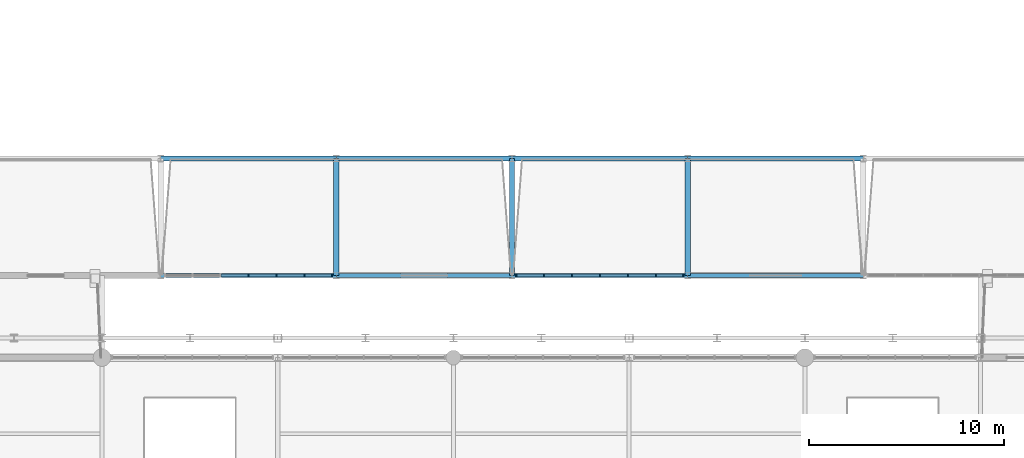
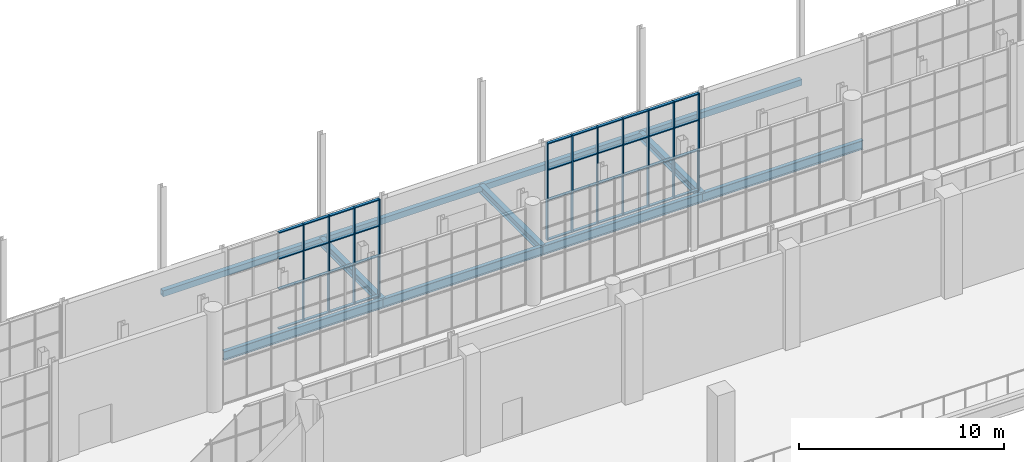
# One storey, part 61 of 159: 51 members, 11 beams, 2 elements without a shape of their own.
"""IFC4 building model written with IfcOpenShell, lengths in metres."""

from ifc_helpers import new_model, si_unit, direction, frame, origin, origin_2d, place, context, subcontext, project, spatial, rectangle, hollow_rectangle, i_section, extrude, material, layer, layer_set, material_profile, profile_set, type_object, element, aggregate, save


model = new_model("IFC4")

# Units and contexts
model_context = context("Model", 3, precision=1e-05, world=origin(), true_north=direction((0.0, 1.0)))
body_context = subcontext(model_context, "Body", "Model", "MODEL_VIEW")
ifc_project = project(units=[si_unit("LENGTHUNIT", "METRE"), si_unit("AREAUNIT", "SQUARE_METRE"), si_unit("VOLUMEUNIT", "CUBIC_METRE"), si_unit("PLANEANGLEUNIT", "RADIAN"), si_unit("MASSUNIT", "GRAM", prefix="KILO")], contexts=[model_context])

# Site, building, storey
site_placement = place(None, origin())
site = spatial("IfcSite", under=ifc_project, at=site_placement, CompositionType="ELEMENT")
building_placement = place(site_placement, origin())
building = spatial("IfcBuilding", under=site, at=building_placement, Name="Cazmaro Siding Exhibition Halls", CompositionType="ELEMENT")
storey_placement = place(building_placement, frame((0.0, 0.0, 6.0)))
storey = spatial("IfcBuildingStorey", under=building, at=storey_placement, Name="L01", CompositionType="ELEMENT", Elevation=6.0)

# Beams
ifc_material_1 = material(Name="Steel ASTM A992 Grade 50", Category="steel")
ifc_material_profile_1 = material_profile(ifc_material_1, i_section(OverallWidth=0.2099609375, OverallDepth=0.535888671875, WebThickness=0.010986328125, FlangeThickness=0.01708984375, at=origin_2d()), Name="W21X68")
ifc_profile_set_1 = profile_set([ifc_material_profile_1], Name="Steel ASTM A992 Grade 50")
beam_type_1 = type_object("IfcBeamType", Name="B-02", PredefinedType="BEAM", material=ifc_profile_set_1)
for number, where, z_axis, x_axis, name in (
    (1, (93.0, 67.199951171875, -0.488037109375), (1.0, 0.0, 0.0), (0.0, 1.0, 0.0), "Beam B-02 BM-0322"),
    (2, (102.0, 67.199951171875, -0.488037109375), (1.0, 0.0, 0.0), (0.0, 1.0, 0.0), "Beam B-02 BM-0324"),
    (3, (111.0, 67.199951171875, -0.488037109375), (1.0, 0.0, 0.0), (0.0, 1.0, 0.0), "Beam B-02 BM-0326"),
    (4, (120.0, 67.199951171875, -0.488037109375), (1.0, 0.0, 0.0), (0.0, 1.0, 0.0), "Beam B-02 BM-0328"),
):
    element("IfcBeam", number, at=place(storey_placement, frame(where, z_axis=z_axis, x_axis=x_axis)), inside=storey, type_object=beam_type_1, Name=name, PredefinedType="BEAM", context=body_context, shape_type="SweptSolid", body=[
        extrude(i_section(OverallWidth=0.2099609375, OverallDepth=0.535888671875, WebThickness=0.010986328125, FlangeThickness=0.01708984375, at=origin_2d()), origin(), (0.0, 0.0, 1.0), 9.0),
    ])
ifc_material_2 = material(Name="Steel ASTM A992 Grade 50", Category="steel")
ifc_material_profile_2 = material_profile(ifc_material_2, i_section(OverallWidth=0.279052734375, OverallDepth=0.4619140625, WebThickness=0.010986328125, FlangeThickness=0.01708984375, at=origin_2d()), Name="W18X76")
ifc_profile_set_2 = profile_set([ifc_material_profile_2], Name="Steel ASTM A992 Grade 50")
beam_type_2 = type_object("IfcBeamType", Name="B-03", PredefinedType="BEAM", material=ifc_profile_set_2)
for number, where, z_axis, x_axis, name in (
    (5, (102.0, 67.199951171875, -0.450927734375), (0.0, 1.0, 0.0), (-1.0, 0.0, 0.0), "Beam B-03 BM-0341"),
    (6, (111.0, 67.199951171875, -0.450927734375), (0.0, 1.0, 0.0), (-1.0, 0.0, 0.0), "Beam B-03 BM-0342"),
    (7, (120.0, 67.199951171875, -0.450927734375), (0.0, 1.0, 0.0), (-1.0, 0.0, 0.0), "Beam B-03 BM-0343"),
):
    element("IfcBeam", number, at=place(storey_placement, frame(where, z_axis=z_axis, x_axis=x_axis)), inside=storey, type_object=beam_type_2, Name=name, PredefinedType="BEAM", context=body_context, shape_type="SweptSolid", body=[
        extrude(i_section(OverallWidth=0.279052734375, OverallDepth=0.4619140625, WebThickness=0.010986328125, FlangeThickness=0.01708984375, at=origin_2d()), origin(), (0.0, 0.0, 1.0), 6.0),
    ])
ifc_material_3 = material(Name="Steel ASTM A500 Grade C", Category="steel")
ifc_material_profile_3 = material_profile(ifc_material_3, hollow_rectangle(XDim=0.25390625, YDim=0.35595703125, WallThickness=0.014892578125, at=origin_2d()), Name="HSS14X10X5/8")
ifc_profile_set_3 = profile_set([ifc_material_profile_3], Name="Steel ASTM A500 Grade C")
beam_type_3 = type_object("IfcBeamType", Name="B-06", PredefinedType="BEAM", material=ifc_profile_set_3)
for number, where, z_axis, x_axis, name in (
    (8, (93.0, 73.199951171875, -0.39794921875), (1.0, 0.0, 0.0), (0.0, 1.0, 0.0), "Beam B-06 BM-0323"),
    (9, (102.0, 73.199951171875, -0.39794921875), (1.0, 0.0, 0.0), (0.0, 1.0, 0.0), "Beam B-06 BM-0325"),
    (10, (111.0, 73.199951171875, -0.39794921875), (1.0, 0.0, 0.0), (0.0, 1.0, 0.0), "Beam B-06 BM-0327"),
    (11, (120.0, 73.199951171875, -0.39794921875), (1.0, 0.0, 0.0), (0.0, 1.0, 0.0), "Beam B-06 BM-0329"),
):
    element("IfcBeam", number, at=place(storey_placement, frame(where, z_axis=z_axis, x_axis=x_axis)), inside=storey, type_object=beam_type_3, Name=name, PredefinedType="BEAM", context=body_context, shape_type="SweptSolid", body=[
        extrude(hollow_rectangle(XDim=0.25390625, YDim=0.35595703125, WallThickness=0.014892578125, at=origin_2d()), origin(), (0.0, 0.0, 1.0), 9.0),
    ])

# Curtain wall, members
ifc_material_4 = material(Name="Anodized Bronze Aluminum and Solar-Control Low-E Glazing", Category="aluminium")
ifc_layer = layer(ifc_material_4, 0.179931640625)
ifc_layer_set = layer_set([ifc_layer], Name="Anodized Bronze Aluminum and Solar-Control Low-E Glazing")
curtain_wall_type = type_object("IfcCurtainWallType", Name="CWS-01", PredefinedType="USERDEFINED", material=ifc_layer_set)
curtain_wall_1_placement = place(storey_placement, origin())
curtain_wall_1 = element("IfcCurtainWall", 12, at=curtain_wall_1_placement, inside=storey, type_object=curtain_wall_type, Name="Glazed Curtain Wall CWS-01 CW-020", ObjectType="GLAZED CURTAIN WALL", PredefinedType="USERDEFINED")
ifc_material_5 = material(Name="Anodized Bronze Extruded Aluminum", Category="aluminium")
ifc_material_profile_4 = material_profile(ifc_material_5, rectangle(XDim=0.179931640625, YDim=0.06005859375, at=origin_2d()), Name="CWM-01")
ifc_profile_set_4 = profile_set([ifc_material_profile_4], Name="Anodized Bronze Extruded Aluminum")
member_type_1 = type_object("IfcMemberType", Name="CWM-01", PredefinedType="MULLION", material=ifc_profile_set_4)
member_1_placement = place(storey_placement, frame((97.5, 67.199951171875, 0.0), z_axis=(0.0, 0.0, 1.0), x_axis=(0.0, 1.0, 0.0)))
member_1 = element("IfcMember", 13, at=member_1_placement, type_object=member_type_1, Name="CWS-01 mullion 4", PredefinedType="MULLION", context=body_context, shape_type="SweptSolid", body=[
    extrude(rectangle(XDim=0.179931640625, YDim=0.06005859375, at=origin_2d()), origin(), (0.0, 0.0, 1.0), 5.780029296875),
])
member_2_placement = place(storey_placement, frame((98.934326171875, 67.199951171875, 0.0), z_axis=(0.0, 0.0, 1.0), x_axis=(0.0, 1.0, 0.0)))
member_2 = element("IfcMember", 14, at=member_2_placement, type_object=member_type_1, Name="CWS-01 mullion 5", PredefinedType="MULLION", context=body_context, shape_type="SweptSolid", body=[
    extrude(rectangle(XDim=0.179931640625, YDim=0.06005859375, at=origin_2d()), origin(), (0.0, 0.0, 1.0), 5.780029296875),
])
member_3_placement = place(storey_placement, frame((100.36865234375, 67.199951171875, 0.0), z_axis=(0.0, 0.0, 1.0), x_axis=(0.0, 1.0, 0.0)))
member_3 = element("IfcMember", 15, at=member_3_placement, type_object=member_type_1, Name="CWS-01 mullion 6", PredefinedType="MULLION", context=body_context, shape_type="SweptSolid", body=[
    extrude(rectangle(XDim=0.179931640625, YDim=0.06005859375, at=origin_2d()), origin(), (0.0, 0.0, 1.0), 5.780029296875),
])
member_4_placement = place(storey_placement, frame((101.77294921875, 67.199951171875, 0.0), z_axis=(0.0, 0.0, 1.0), x_axis=(0.0, 1.0, 0.0)))
member_4 = element("IfcMember", 16, at=member_4_placement, type_object=member_type_1, Name="CWS-01 mullion 7", PredefinedType="MULLION", context=body_context, shape_type="SweptSolid", body=[
    extrude(rectangle(XDim=0.179931640625, YDim=0.06005859375, at=origin_2d()), origin(), (0.0, 0.0, 1.0), 5.780029296875),
])

curtain_wall_2_placement = place(storey_placement, origin())
curtain_wall_2 = element("IfcCurtainWall", 17, at=curtain_wall_2_placement, inside=storey, type_object=curtain_wall_type, Name="Glazed Curtain Wall CWS-01 CW-028", ObjectType="GLAZED CURTAIN WALL", PredefinedType="USERDEFINED")
member_5_placement = place(storey_placement, frame((111.22705078125, 67.199951171875, 0.0), z_axis=(0.0, 0.0, 1.0), x_axis=(0.0, 1.0, 0.0)))
member_5 = element("IfcMember", 18, at=member_5_placement, type_object=member_type_1, Name="CWS-01 mullion 1", PredefinedType="MULLION", context=body_context, shape_type="SweptSolid", body=[
    extrude(rectangle(XDim=0.179931640625, YDim=0.06005859375, at=origin_2d()), origin(), (0.0, 0.0, 1.0), 5.780029296875),
])
member_6_placement = place(storey_placement, frame((112.63134765625, 67.199951171875, 0.0), z_axis=(0.0, 0.0, 1.0), x_axis=(0.0, 1.0, 0.0)))
member_6 = element("IfcMember", 19, at=member_6_placement, type_object=member_type_1, Name="CWS-01 mullion 2", PredefinedType="MULLION", context=body_context, shape_type="SweptSolid", body=[
    extrude(rectangle(XDim=0.179931640625, YDim=0.06005859375, at=origin_2d()), origin(), (0.0, 0.0, 1.0), 5.780029296875),
])
member_7_placement = place(storey_placement, frame((114.065673828125, 67.199951171875, 0.0), z_axis=(0.0, 0.0, 1.0), x_axis=(0.0, 1.0, 0.0)))
member_7 = element("IfcMember", 20, at=member_7_placement, type_object=member_type_1, Name="CWS-01 mullion 3", PredefinedType="MULLION", context=body_context, shape_type="SweptSolid", body=[
    extrude(rectangle(XDim=0.179931640625, YDim=0.06005859375, at=origin_2d()), origin(), (0.0, 0.0, 1.0), 5.780029296875),
])
member_8_placement = place(storey_placement, frame((115.5, 67.199951171875, 0.0), z_axis=(0.0, 0.0, 1.0), x_axis=(0.0, 1.0, 0.0)))
member_8 = element("IfcMember", 21, at=member_8_placement, type_object=member_type_1, Name="CWS-01 mullion 4", PredefinedType="MULLION", context=body_context, shape_type="SweptSolid", body=[
    extrude(rectangle(XDim=0.179931640625, YDim=0.06005859375, at=origin_2d()), origin(), (0.0, 0.0, 1.0), 5.780029296875),
])
member_9_placement = place(storey_placement, frame((116.934326171875, 67.199951171875, 0.0), z_axis=(0.0, 0.0, 1.0), x_axis=(0.0, 1.0, 0.0)))
member_9 = element("IfcMember", 22, at=member_9_placement, type_object=member_type_1, Name="CWS-01 mullion 5", PredefinedType="MULLION", context=body_context, shape_type="SweptSolid", body=[
    extrude(rectangle(XDim=0.179931640625, YDim=0.06005859375, at=origin_2d()), origin(), (0.0, 0.0, 1.0), 5.780029296875),
])
member_10_placement = place(storey_placement, frame((118.36865234375, 67.199951171875, 0.0), z_axis=(0.0, 0.0, 1.0), x_axis=(0.0, 1.0, 0.0)))
member_10 = element("IfcMember", 23, at=member_10_placement, type_object=member_type_1, Name="CWS-01 mullion 6", PredefinedType="MULLION", context=body_context, shape_type="SweptSolid", body=[
    extrude(rectangle(XDim=0.179931640625, YDim=0.06005859375, at=origin_2d()), origin(), (0.0, 0.0, 1.0), 5.780029296875),
])
member_11_placement = place(storey_placement, frame((119.77294921875, 67.199951171875, 0.0), z_axis=(0.0, 0.0, 1.0), x_axis=(0.0, 1.0, 0.0)))
member_11 = element("IfcMember", 24, at=member_11_placement, type_object=member_type_1, Name="CWS-01 mullion 7", PredefinedType="MULLION", context=body_context, shape_type="SweptSolid", body=[
    extrude(rectangle(XDim=0.179931640625, YDim=0.06005859375, at=origin_2d()), origin(), (0.0, 0.0, 1.0), 5.780029296875),
])

# Member
ifc_material_6 = material(Name="Anodized Bronze Extruded Aluminum", Category="aluminium")
ifc_material_profile_5 = material_profile(ifc_material_6, rectangle(XDim=0.159912109375, YDim=0.06005859375, at=origin_2d()), Name="CWT-01")
ifc_profile_set_5 = profile_set([ifc_material_profile_5], Name="Anodized Bronze Extruded Aluminum")
member_type_2 = type_object("IfcMemberType", Name="CWT-01", PredefinedType="MULLION", material=ifc_profile_set_5)
member_12_placement = place(storey_placement, frame((96.095703125, 67.199951171875, 0.030029296875), z_axis=(1.0, 0.0, 0.0), x_axis=(0.0, 1.0, 0.0)))
member_12 = element("IfcMember", 25, at=member_12_placement, type_object=member_type_2, Name="CWS-01 transom 3.1", ObjectType="TRANSOM", PredefinedType="USERDEFINED", context=body_context, shape_type="SweptSolid", body=[
    extrude(rectangle(XDim=0.159912109375, YDim=0.06005859375, at=origin_2d()), origin(), (0.0, 0.0, 1.0), 1.374267578125),
])

member_13_placement = place(storey_placement, frame((96.095703125, 67.199951171875, 2.39990234375), z_axis=(1.0, 0.0, 0.0), x_axis=(0.0, 1.0, 0.0)))
member_13 = element("IfcMember", 26, at=member_13_placement, type_object=member_type_2, Name="CWS-01 transom 3.2", ObjectType="TRANSOM", PredefinedType="USERDEFINED", context=body_context, shape_type="SweptSolid", body=[
    extrude(rectangle(XDim=0.159912109375, YDim=0.06005859375, at=origin_2d()), origin(), (0.0, 0.0, 1.0), 1.374267578125),
])

member_14_placement = place(storey_placement, frame((96.095703125, 67.199951171875, 4.199951171875), z_axis=(1.0, 0.0, 0.0), x_axis=(0.0, 1.0, 0.0)))
member_14 = element("IfcMember", 27, at=member_14_placement, type_object=member_type_2, Name="CWS-01 transom 3.3", ObjectType="TRANSOM", PredefinedType="USERDEFINED", context=body_context, shape_type="SweptSolid", body=[
    extrude(rectangle(XDim=0.159912109375, YDim=0.06005859375, at=origin_2d()), origin(), (0.0, 0.0, 1.0), 1.374267578125),
])

member_15_placement = place(storey_placement, frame((96.095703125, 67.199951171875, 5.75), z_axis=(1.0, 0.0, 0.0), x_axis=(0.0, 1.0, 0.0)))
member_15 = element("IfcMember", 28, at=member_15_placement, type_object=member_type_2, Name="CWS-01 transom 3.4", ObjectType="TRANSOM", PredefinedType="USERDEFINED", context=body_context, shape_type="SweptSolid", body=[
    extrude(rectangle(XDim=0.159912109375, YDim=0.06005859375, at=origin_2d()), origin(), (0.0, 0.0, 1.0), 1.374267578125),
])

member_16_placement = place(storey_placement, frame((97.530029296875, 67.199951171875, 0.030029296875), z_axis=(1.0, 0.0, 0.0), x_axis=(0.0, 1.0, 0.0)))
member_16 = element("IfcMember", 29, at=member_16_placement, type_object=member_type_2, Name="CWS-01 transom 4.1", ObjectType="TRANSOM", PredefinedType="USERDEFINED", context=body_context, shape_type="SweptSolid", body=[
    extrude(rectangle(XDim=0.159912109375, YDim=0.06005859375, at=origin_2d()), origin(), (0.0, 0.0, 1.0), 1.374267578125),
])

member_17_placement = place(storey_placement, frame((97.530029296875, 67.199951171875, 2.39990234375), z_axis=(1.0, 0.0, 0.0), x_axis=(0.0, 1.0, 0.0)))
member_17 = element("IfcMember", 30, at=member_17_placement, type_object=member_type_2, Name="CWS-01 transom 4.2", ObjectType="TRANSOM", PredefinedType="USERDEFINED", context=body_context, shape_type="SweptSolid", body=[
    extrude(rectangle(XDim=0.159912109375, YDim=0.06005859375, at=origin_2d()), origin(), (0.0, 0.0, 1.0), 1.374267578125),
])

member_18_placement = place(storey_placement, frame((97.530029296875, 67.199951171875, 4.199951171875), z_axis=(1.0, 0.0, 0.0), x_axis=(0.0, 1.0, 0.0)))
member_18 = element("IfcMember", 31, at=member_18_placement, type_object=member_type_2, Name="CWS-01 transom 4.3", ObjectType="TRANSOM", PredefinedType="USERDEFINED", context=body_context, shape_type="SweptSolid", body=[
    extrude(rectangle(XDim=0.159912109375, YDim=0.06005859375, at=origin_2d()), origin(), (0.0, 0.0, 1.0), 1.374267578125),
])

member_19_placement = place(storey_placement, frame((97.530029296875, 67.199951171875, 5.75), z_axis=(1.0, 0.0, 0.0), x_axis=(0.0, 1.0, 0.0)))
member_19 = element("IfcMember", 32, at=member_19_placement, type_object=member_type_2, Name="CWS-01 transom 4.4", ObjectType="TRANSOM", PredefinedType="USERDEFINED", context=body_context, shape_type="SweptSolid", body=[
    extrude(rectangle(XDim=0.159912109375, YDim=0.06005859375, at=origin_2d()), origin(), (0.0, 0.0, 1.0), 1.374267578125),
])

member_20_placement = place(storey_placement, frame((98.96435546875, 67.199951171875, 0.030029296875), z_axis=(1.0, 0.0, 0.0), x_axis=(0.0, 1.0, 0.0)))
member_20 = element("IfcMember", 33, at=member_20_placement, type_object=member_type_2, Name="CWS-01 transom 5.1", ObjectType="TRANSOM", PredefinedType="USERDEFINED", context=body_context, shape_type="SweptSolid", body=[
    extrude(rectangle(XDim=0.159912109375, YDim=0.06005859375, at=origin_2d()), origin(), (0.0, 0.0, 1.0), 1.374267578125),
])

member_21_placement = place(storey_placement, frame((98.96435546875, 67.199951171875, 2.39990234375), z_axis=(1.0, 0.0, 0.0), x_axis=(0.0, 1.0, 0.0)))
member_21 = element("IfcMember", 34, at=member_21_placement, type_object=member_type_2, Name="CWS-01 transom 5.2", ObjectType="TRANSOM", PredefinedType="USERDEFINED", context=body_context, shape_type="SweptSolid", body=[
    extrude(rectangle(XDim=0.159912109375, YDim=0.06005859375, at=origin_2d()), origin(), (0.0, 0.0, 1.0), 1.374267578125),
])

member_22_placement = place(storey_placement, frame((98.96435546875, 67.199951171875, 4.199951171875), z_axis=(1.0, 0.0, 0.0), x_axis=(0.0, 1.0, 0.0)))
member_22 = element("IfcMember", 35, at=member_22_placement, type_object=member_type_2, Name="CWS-01 transom 5.3", ObjectType="TRANSOM", PredefinedType="USERDEFINED", context=body_context, shape_type="SweptSolid", body=[
    extrude(rectangle(XDim=0.159912109375, YDim=0.06005859375, at=origin_2d()), origin(), (0.0, 0.0, 1.0), 1.374267578125),
])

member_23_placement = place(storey_placement, frame((98.96435546875, 67.199951171875, 5.75), z_axis=(1.0, 0.0, 0.0), x_axis=(0.0, 1.0, 0.0)))
member_23 = element("IfcMember", 36, at=member_23_placement, type_object=member_type_2, Name="CWS-01 transom 5.4", ObjectType="TRANSOM", PredefinedType="USERDEFINED", context=body_context, shape_type="SweptSolid", body=[
    extrude(rectangle(XDim=0.159912109375, YDim=0.06005859375, at=origin_2d()), origin(), (0.0, 0.0, 1.0), 1.374267578125),
])

member_24_placement = place(storey_placement, frame((100.398681640625, 67.199951171875, 0.030029296875), z_axis=(1.0, 0.0, 0.0), x_axis=(0.0, 1.0, 0.0)))
member_24 = element("IfcMember", 37, at=member_24_placement, type_object=member_type_2, Name="CWS-01 transom 6.1", ObjectType="TRANSOM", PredefinedType="USERDEFINED", context=body_context, shape_type="SweptSolid", body=[
    extrude(rectangle(XDim=0.159912109375, YDim=0.06005859375, at=origin_2d()), origin(), (0.0, 0.0, 1.0), 1.34423828125),
])

member_25_placement = place(storey_placement, frame((100.398681640625, 67.199951171875, 2.39990234375), z_axis=(1.0, 0.0, 0.0), x_axis=(0.0, 1.0, 0.0)))
member_25 = element("IfcMember", 38, at=member_25_placement, type_object=member_type_2, Name="CWS-01 transom 6.2", ObjectType="TRANSOM", PredefinedType="USERDEFINED", context=body_context, shape_type="SweptSolid", body=[
    extrude(rectangle(XDim=0.159912109375, YDim=0.06005859375, at=origin_2d()), origin(), (0.0, 0.0, 1.0), 1.34423828125),
])

member_26_placement = place(storey_placement, frame((100.398681640625, 67.199951171875, 4.199951171875), z_axis=(1.0, 0.0, 0.0), x_axis=(0.0, 1.0, 0.0)))
member_26 = element("IfcMember", 39, at=member_26_placement, type_object=member_type_2, Name="CWS-01 transom 6.3", ObjectType="TRANSOM", PredefinedType="USERDEFINED", context=body_context, shape_type="SweptSolid", body=[
    extrude(rectangle(XDim=0.159912109375, YDim=0.06005859375, at=origin_2d()), origin(), (0.0, 0.0, 1.0), 1.34423828125),
])

member_27_placement = place(storey_placement, frame((100.398681640625, 67.199951171875, 5.75), z_axis=(1.0, 0.0, 0.0), x_axis=(0.0, 1.0, 0.0)))
member_27 = element("IfcMember", 40, at=member_27_placement, type_object=member_type_2, Name="CWS-01 transom 6.4", ObjectType="TRANSOM", PredefinedType="USERDEFINED", context=body_context, shape_type="SweptSolid", body=[
    extrude(rectangle(XDim=0.159912109375, YDim=0.06005859375, at=origin_2d()), origin(), (0.0, 0.0, 1.0), 1.34423828125),
])

aggregate(curtain_wall_1, [member_1, member_2, member_3, member_4, member_12, member_13, member_14, member_15, member_16, member_17, member_18, member_19, member_20, member_21, member_22, member_23, member_24, member_25, member_26, member_27])

member_28_placement = place(storey_placement, frame((111.257080078125, 67.199951171875, 0.030029296875), z_axis=(1.0, 0.0, 0.0), x_axis=(0.0, 1.0, 0.0)))
member_28 = element("IfcMember", 41, at=member_28_placement, type_object=member_type_2, Name="CWS-01 transom 1.1", ObjectType="TRANSOM", PredefinedType="USERDEFINED", context=body_context, shape_type="SweptSolid", body=[
    extrude(rectangle(XDim=0.159912109375, YDim=0.06005859375, at=origin_2d()), origin(), (0.0, 0.0, 1.0), 1.34423828125),
])

member_29_placement = place(storey_placement, frame((111.257080078125, 67.199951171875, 2.39990234375), z_axis=(1.0, 0.0, 0.0), x_axis=(0.0, 1.0, 0.0)))
member_29 = element("IfcMember", 42, at=member_29_placement, type_object=member_type_2, Name="CWS-01 transom 1.2", ObjectType="TRANSOM", PredefinedType="USERDEFINED", context=body_context, shape_type="SweptSolid", body=[
    extrude(rectangle(XDim=0.159912109375, YDim=0.06005859375, at=origin_2d()), origin(), (0.0, 0.0, 1.0), 1.34423828125),
])

member_30_placement = place(storey_placement, frame((111.257080078125, 67.199951171875, 4.199951171875), z_axis=(1.0, 0.0, 0.0), x_axis=(0.0, 1.0, 0.0)))
member_30 = element("IfcMember", 43, at=member_30_placement, type_object=member_type_2, Name="CWS-01 transom 1.3", ObjectType="TRANSOM", PredefinedType="USERDEFINED", context=body_context, shape_type="SweptSolid", body=[
    extrude(rectangle(XDim=0.159912109375, YDim=0.06005859375, at=origin_2d()), origin(), (0.0, 0.0, 1.0), 1.34423828125),
])

member_31_placement = place(storey_placement, frame((111.257080078125, 67.199951171875, 5.75), z_axis=(1.0, 0.0, 0.0), x_axis=(0.0, 1.0, 0.0)))
member_31 = element("IfcMember", 44, at=member_31_placement, type_object=member_type_2, Name="CWS-01 transom 1.4", ObjectType="TRANSOM", PredefinedType="USERDEFINED", context=body_context, shape_type="SweptSolid", body=[
    extrude(rectangle(XDim=0.159912109375, YDim=0.06005859375, at=origin_2d()), origin(), (0.0, 0.0, 1.0), 1.34423828125),
])

member_32_placement = place(storey_placement, frame((112.661376953125, 67.199951171875, 0.030029296875), z_axis=(1.0, 0.0, 0.0), x_axis=(0.0, 1.0, 0.0)))
member_32 = element("IfcMember", 45, at=member_32_placement, type_object=member_type_2, Name="CWS-01 transom 2.1", ObjectType="TRANSOM", PredefinedType="USERDEFINED", context=body_context, shape_type="SweptSolid", body=[
    extrude(rectangle(XDim=0.159912109375, YDim=0.06005859375, at=origin_2d()), origin(), (0.0, 0.0, 1.0), 1.374267578125),
])

member_33_placement = place(storey_placement, frame((112.661376953125, 67.199951171875, 2.39990234375), z_axis=(1.0, 0.0, 0.0), x_axis=(0.0, 1.0, 0.0)))
member_33 = element("IfcMember", 46, at=member_33_placement, type_object=member_type_2, Name="CWS-01 transom 2.2", ObjectType="TRANSOM", PredefinedType="USERDEFINED", context=body_context, shape_type="SweptSolid", body=[
    extrude(rectangle(XDim=0.159912109375, YDim=0.06005859375, at=origin_2d()), origin(), (0.0, 0.0, 1.0), 1.374267578125),
])

member_34_placement = place(storey_placement, frame((112.661376953125, 67.199951171875, 4.199951171875), z_axis=(1.0, 0.0, 0.0), x_axis=(0.0, 1.0, 0.0)))
member_34 = element("IfcMember", 47, at=member_34_placement, type_object=member_type_2, Name="CWS-01 transom 2.3", ObjectType="TRANSOM", PredefinedType="USERDEFINED", context=body_context, shape_type="SweptSolid", body=[
    extrude(rectangle(XDim=0.159912109375, YDim=0.06005859375, at=origin_2d()), origin(), (0.0, 0.0, 1.0), 1.374267578125),
])

member_35_placement = place(storey_placement, frame((112.661376953125, 67.199951171875, 5.75), z_axis=(1.0, 0.0, 0.0), x_axis=(0.0, 1.0, 0.0)))
member_35 = element("IfcMember", 48, at=member_35_placement, type_object=member_type_2, Name="CWS-01 transom 2.4", ObjectType="TRANSOM", PredefinedType="USERDEFINED", context=body_context, shape_type="SweptSolid", body=[
    extrude(rectangle(XDim=0.159912109375, YDim=0.06005859375, at=origin_2d()), origin(), (0.0, 0.0, 1.0), 1.374267578125),
])

member_36_placement = place(storey_placement, frame((114.095703125, 67.199951171875, 0.030029296875), z_axis=(1.0, 0.0, 0.0), x_axis=(0.0, 1.0, 0.0)))
member_36 = element("IfcMember", 49, at=member_36_placement, type_object=member_type_2, Name="CWS-01 transom 3.1", ObjectType="TRANSOM", PredefinedType="USERDEFINED", context=body_context, shape_type="SweptSolid", body=[
    extrude(rectangle(XDim=0.159912109375, YDim=0.06005859375, at=origin_2d()), origin(), (0.0, 0.0, 1.0), 1.374267578125),
])

member_37_placement = place(storey_placement, frame((114.095703125, 67.199951171875, 2.39990234375), z_axis=(1.0, 0.0, 0.0), x_axis=(0.0, 1.0, 0.0)))
member_37 = element("IfcMember", 50, at=member_37_placement, type_object=member_type_2, Name="CWS-01 transom 3.2", ObjectType="TRANSOM", PredefinedType="USERDEFINED", context=body_context, shape_type="SweptSolid", body=[
    extrude(rectangle(XDim=0.159912109375, YDim=0.06005859375, at=origin_2d()), origin(), (0.0, 0.0, 1.0), 1.374267578125),
])

member_38_placement = place(storey_placement, frame((114.095703125, 67.199951171875, 4.199951171875), z_axis=(1.0, 0.0, 0.0), x_axis=(0.0, 1.0, 0.0)))
member_38 = element("IfcMember", 51, at=member_38_placement, type_object=member_type_2, Name="CWS-01 transom 3.3", ObjectType="TRANSOM", PredefinedType="USERDEFINED", context=body_context, shape_type="SweptSolid", body=[
    extrude(rectangle(XDim=0.159912109375, YDim=0.06005859375, at=origin_2d()), origin(), (0.0, 0.0, 1.0), 1.374267578125),
])

member_39_placement = place(storey_placement, frame((114.095703125, 67.199951171875, 5.75), z_axis=(1.0, 0.0, 0.0), x_axis=(0.0, 1.0, 0.0)))
member_39 = element("IfcMember", 52, at=member_39_placement, type_object=member_type_2, Name="CWS-01 transom 3.4", ObjectType="TRANSOM", PredefinedType="USERDEFINED", context=body_context, shape_type="SweptSolid", body=[
    extrude(rectangle(XDim=0.159912109375, YDim=0.06005859375, at=origin_2d()), origin(), (0.0, 0.0, 1.0), 1.374267578125),
])

member_40_placement = place(storey_placement, frame((115.530029296875, 67.199951171875, 0.030029296875), z_axis=(1.0, 0.0, 0.0), x_axis=(0.0, 1.0, 0.0)))
member_40 = element("IfcMember", 53, at=member_40_placement, type_object=member_type_2, Name="CWS-01 transom 4.1", ObjectType="TRANSOM", PredefinedType="USERDEFINED", context=body_context, shape_type="SweptSolid", body=[
    extrude(rectangle(XDim=0.159912109375, YDim=0.06005859375, at=origin_2d()), origin(), (0.0, 0.0, 1.0), 1.374267578125),
])

member_41_placement = place(storey_placement, frame((115.530029296875, 67.199951171875, 2.39990234375), z_axis=(1.0, 0.0, 0.0), x_axis=(0.0, 1.0, 0.0)))
member_41 = element("IfcMember", 54, at=member_41_placement, type_object=member_type_2, Name="CWS-01 transom 4.2", ObjectType="TRANSOM", PredefinedType="USERDEFINED", context=body_context, shape_type="SweptSolid", body=[
    extrude(rectangle(XDim=0.159912109375, YDim=0.06005859375, at=origin_2d()), origin(), (0.0, 0.0, 1.0), 1.374267578125),
])

member_42_placement = place(storey_placement, frame((115.530029296875, 67.199951171875, 4.199951171875), z_axis=(1.0, 0.0, 0.0), x_axis=(0.0, 1.0, 0.0)))
member_42 = element("IfcMember", 55, at=member_42_placement, type_object=member_type_2, Name="CWS-01 transom 4.3", ObjectType="TRANSOM", PredefinedType="USERDEFINED", context=body_context, shape_type="SweptSolid", body=[
    extrude(rectangle(XDim=0.159912109375, YDim=0.06005859375, at=origin_2d()), origin(), (0.0, 0.0, 1.0), 1.374267578125),
])

member_43_placement = place(storey_placement, frame((115.530029296875, 67.199951171875, 5.75), z_axis=(1.0, 0.0, 0.0), x_axis=(0.0, 1.0, 0.0)))
member_43 = element("IfcMember", 56, at=member_43_placement, type_object=member_type_2, Name="CWS-01 transom 4.4", ObjectType="TRANSOM", PredefinedType="USERDEFINED", context=body_context, shape_type="SweptSolid", body=[
    extrude(rectangle(XDim=0.159912109375, YDim=0.06005859375, at=origin_2d()), origin(), (0.0, 0.0, 1.0), 1.374267578125),
])

member_44_placement = place(storey_placement, frame((116.96435546875, 67.199951171875, 0.030029296875), z_axis=(1.0, 0.0, 0.0), x_axis=(0.0, 1.0, 0.0)))
member_44 = element("IfcMember", 57, at=member_44_placement, type_object=member_type_2, Name="CWS-01 transom 5.1", ObjectType="TRANSOM", PredefinedType="USERDEFINED", context=body_context, shape_type="SweptSolid", body=[
    extrude(rectangle(XDim=0.159912109375, YDim=0.06005859375, at=origin_2d()), origin(), (0.0, 0.0, 1.0), 1.374267578125),
])

member_45_placement = place(storey_placement, frame((116.96435546875, 67.199951171875, 2.39990234375), z_axis=(1.0, 0.0, 0.0), x_axis=(0.0, 1.0, 0.0)))
member_45 = element("IfcMember", 58, at=member_45_placement, type_object=member_type_2, Name="CWS-01 transom 5.2", ObjectType="TRANSOM", PredefinedType="USERDEFINED", context=body_context, shape_type="SweptSolid", body=[
    extrude(rectangle(XDim=0.159912109375, YDim=0.06005859375, at=origin_2d()), origin(), (0.0, 0.0, 1.0), 1.374267578125),
])

member_46_placement = place(storey_placement, frame((116.96435546875, 67.199951171875, 4.199951171875), z_axis=(1.0, 0.0, 0.0), x_axis=(0.0, 1.0, 0.0)))
member_46 = element("IfcMember", 59, at=member_46_placement, type_object=member_type_2, Name="CWS-01 transom 5.3", ObjectType="TRANSOM", PredefinedType="USERDEFINED", context=body_context, shape_type="SweptSolid", body=[
    extrude(rectangle(XDim=0.159912109375, YDim=0.06005859375, at=origin_2d()), origin(), (0.0, 0.0, 1.0), 1.374267578125),
])

member_47_placement = place(storey_placement, frame((116.96435546875, 67.199951171875, 5.75), z_axis=(1.0, 0.0, 0.0), x_axis=(0.0, 1.0, 0.0)))
member_47 = element("IfcMember", 60, at=member_47_placement, type_object=member_type_2, Name="CWS-01 transom 5.4", ObjectType="TRANSOM", PredefinedType="USERDEFINED", context=body_context, shape_type="SweptSolid", body=[
    extrude(rectangle(XDim=0.159912109375, YDim=0.06005859375, at=origin_2d()), origin(), (0.0, 0.0, 1.0), 1.374267578125),
])

member_48_placement = place(storey_placement, frame((118.398681640625, 67.199951171875, 0.030029296875), z_axis=(1.0, 0.0, 0.0), x_axis=(0.0, 1.0, 0.0)))
member_48 = element("IfcMember", 61, at=member_48_placement, type_object=member_type_2, Name="CWS-01 transom 6.1", ObjectType="TRANSOM", PredefinedType="USERDEFINED", context=body_context, shape_type="SweptSolid", body=[
    extrude(rectangle(XDim=0.159912109375, YDim=0.06005859375, at=origin_2d()), origin(), (0.0, 0.0, 1.0), 1.34423828125),
])

member_49_placement = place(storey_placement, frame((118.398681640625, 67.199951171875, 2.39990234375), z_axis=(1.0, 0.0, 0.0), x_axis=(0.0, 1.0, 0.0)))
member_49 = element("IfcMember", 62, at=member_49_placement, type_object=member_type_2, Name="CWS-01 transom 6.2", ObjectType="TRANSOM", PredefinedType="USERDEFINED", context=body_context, shape_type="SweptSolid", body=[
    extrude(rectangle(XDim=0.159912109375, YDim=0.06005859375, at=origin_2d()), origin(), (0.0, 0.0, 1.0), 1.34423828125),
])

member_50_placement = place(storey_placement, frame((118.398681640625, 67.199951171875, 4.199951171875), z_axis=(1.0, 0.0, 0.0), x_axis=(0.0, 1.0, 0.0)))
member_50 = element("IfcMember", 63, at=member_50_placement, type_object=member_type_2, Name="CWS-01 transom 6.3", ObjectType="TRANSOM", PredefinedType="USERDEFINED", context=body_context, shape_type="SweptSolid", body=[
    extrude(rectangle(XDim=0.159912109375, YDim=0.06005859375, at=origin_2d()), origin(), (0.0, 0.0, 1.0), 1.34423828125),
])

member_51_placement = place(storey_placement, frame((118.398681640625, 67.199951171875, 5.75), z_axis=(1.0, 0.0, 0.0), x_axis=(0.0, 1.0, 0.0)))
member_51 = element("IfcMember", 64, at=member_51_placement, type_object=member_type_2, Name="CWS-01 transom 6.4", ObjectType="TRANSOM", PredefinedType="USERDEFINED", context=body_context, shape_type="SweptSolid", body=[
    extrude(rectangle(XDim=0.159912109375, YDim=0.06005859375, at=origin_2d()), origin(), (0.0, 0.0, 1.0), 1.34423828125),
])

aggregate(curtain_wall_2, [member_5, member_6, member_7, member_8, member_9, member_10, member_11, member_28, member_29, member_30, member_31, member_32, member_33, member_34, member_35, member_36, member_37, member_38, member_39, member_40, member_41, member_42, member_43, member_44, member_45, member_46, member_47, member_48, member_49, member_50, member_51])

save(model, "model.ifc")
